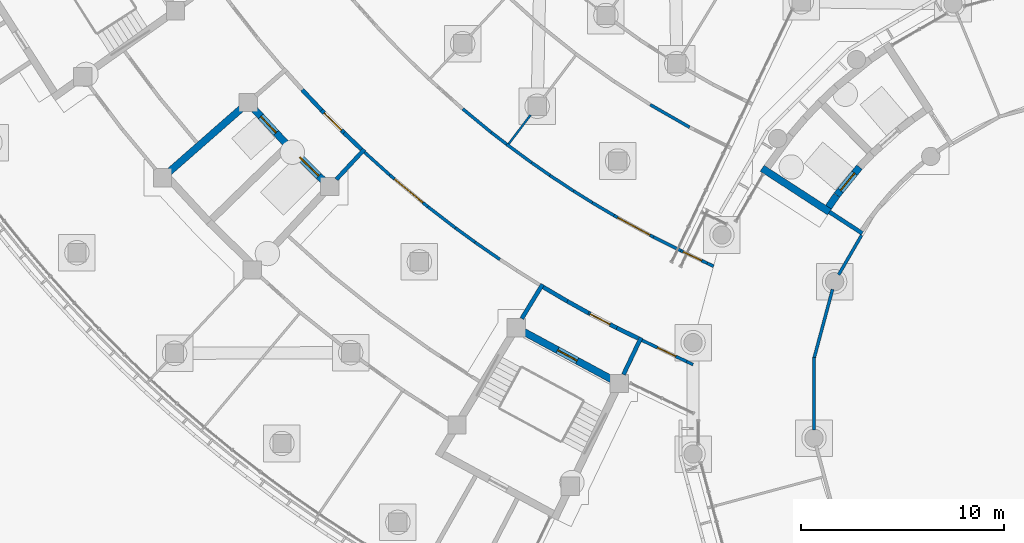
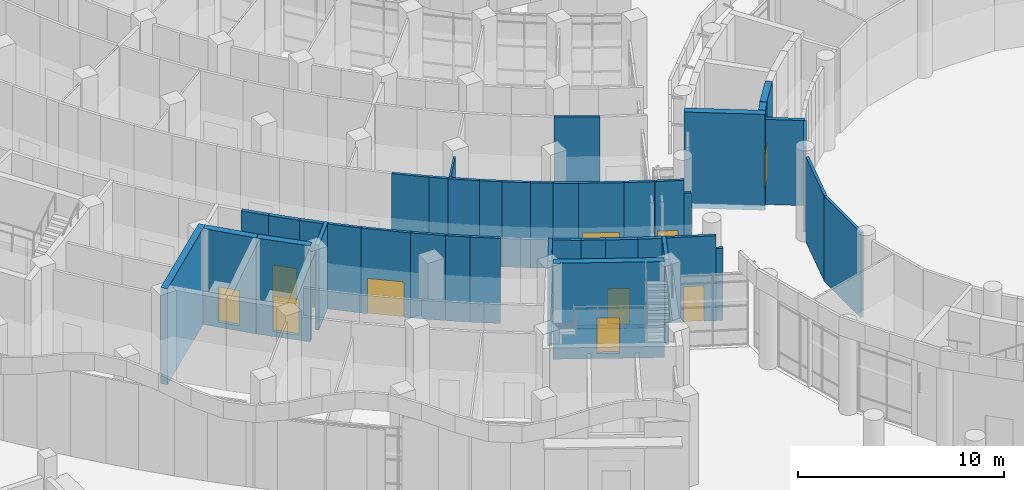
# One storey, part 61 of 146: 41 walls, 10 doors, 10 openings.
"""IFC4 building model written with IfcOpenShell, lengths in metres."""

from ifc_helpers import new_model, si_unit, direction, frame, frame_2d, origin, place, context, subcontext, project, spatial, rectangle, extrude, material, layer, layer_set, type_object, element, fill, save


model = new_model("IFC4")

# Units and contexts
model_context = context("Model", 3, precision=1e-05, world=origin(), true_north=direction((0.0, 1.0)))
body_context = subcontext(model_context, "Body", "Model", "MODEL_VIEW")
ifc_project = project(units=[si_unit("LENGTHUNIT", "METRE"), si_unit("AREAUNIT", "SQUARE_METRE"), si_unit("VOLUMEUNIT", "CUBIC_METRE"), si_unit("PLANEANGLEUNIT", "RADIAN"), si_unit("MASSUNIT", "GRAM", prefix="KILO")], contexts=[model_context])

# Site, building, storey
site_placement = place(None, origin())
site = spatial("IfcSite", under=ifc_project, at=site_placement, CompositionType="ELEMENT")
building_placement = place(site_placement, origin())
building = spatial("IfcBuilding", under=site, at=building_placement, Name="Bougainvillea Quay General Hospital", CompositionType="ELEMENT")
storey_placement = place(building_placement, origin())
storey = spatial("IfcBuildingStorey", under=building, at=storey_placement, Name="L00", CompositionType="ELEMENT", Elevation=0.0)

# Walls
ifc_material_1 = material(Name="Gypsum board partition on steel studs", Category="steel")
ifc_layer_1 = layer(ifc_material_1, 0.10009765625)
ifc_layer_set_1 = layer_set([ifc_layer_1], Name="Gypsum board partition on steel studs")
wall_type_1 = type_object("IfcWallType", Name="Partition 100 Gypsum board partition EI 30", PredefinedType="PARTITIONING", material=ifc_layer_set_1)
wall_1_placement = place(storey_placement, frame((79.311767578125, 86.515380859375, 0.0), z_axis=(0.0, 0.0, 1.0), x_axis=(0.603588624137, 0.797295912954, 0.0)))
element("IfcWall", 1, at=wall_1_placement, inside=storey, type_object=wall_type_1, Name="Partition 100 mm EI 30", PredefinedType="PARTITIONING", context=body_context, shape_type="SweptSolid", body=[
    extrude(rectangle(XDim=1.7822265625, YDim=0.10009765625, at=frame_2d((0.89111328125, 0.0))), origin(), (0.0, 0.0, 1.0), 5.050048828125),
])
ifc_material_2 = material(Name="Gypsum board partition on steel studs, insulated", Category="steel")
ifc_layer_2 = layer(ifc_material_2, 0.14990234375)
ifc_layer_set_2 = layer_set([ifc_layer_2], Name="Gypsum board partition on steel studs, insulated")
wall_type_2 = type_object("IfcWallType", Name="Partition 150 Gypsum board partition", PredefinedType="PARTITIONING", material=ifc_layer_set_2)
wall_2_placement = place(storey_placement, frame((95.539306640625, 80.07958984375, 0.0), z_axis=(0.0, 0.0, 1.0), x_axis=(0.501978236605, 0.864880251812, 0.0)))
element("IfcWall", 2, at=wall_2_placement, inside=storey, type_object=wall_type_2, Name="Partition 150 mm", PredefinedType="PARTITIONING", context=body_context, shape_type="SweptSolid", body=[
    extrude(rectangle(XDim=2.2470703125, YDim=0.14990234375, at=frame_2d((1.12353515625, 0.0))), origin(), (0.0, 0.0, 1.0), 5.050048828125),
])
wall_3_placement = place(storey_placement, frame((94.327880859375, 72.43505859375, 0.0), z_axis=(0.0, 0.0, 1.0), x_axis=(0.0, 1.0, 0.0)))
element("IfcWall", 3, at=wall_3_placement, inside=storey, type_object=wall_type_2, Name="Partition 150 mm", PredefinedType="PARTITIONING", context=body_context, shape_type="SweptSolid", body=[
    extrude(rectangle(XDim=3.597900390625, YDim=0.14990234375, at=frame_2d((1.798828125, 0.0))), origin(), (0.0, 0.0, 1.0), 5.050048828125),
])
wall_4_placement = place(storey_placement, frame((94.343017578125, 76.013916015625, 0.0), z_axis=(0.0, 0.0, 1.0), x_axis=(0.258947401773, 0.965891424082, 0.0)))
element("IfcWall", 4, at=wall_4_placement, inside=storey, type_object=wall_type_2, Name="Partition 150 mm", PredefinedType="PARTITIONING", context=body_context, shape_type="SweptSolid", body=[
    extrude(rectangle(XDim=3.46484375, YDim=0.14990234375, at=frame_2d((1.732421875, 0.0))), origin(), (0.0, 0.0, 1.0), 5.050048828125),
])

# Wall, opening, door
ifc_layer_3 = layer(ifc_material_2, 0.14990234375)
ifc_layer_set_3 = layer_set([ifc_layer_3], Name="Gypsum board partition on steel studs, insulated")
wall_type_3 = type_object("IfcWallType", Name="Partition 150 Gypsum board partition EI 30", PredefinedType="PARTITIONING", material=ifc_layer_set_3)
wall_5_placement = place(storey_placement, frame((85.87109375, 76.85546875, 0.0), z_axis=(0.0, 0.0, 1.0), x_axis=(0.902650527198, -0.43037428565, 0.0)))
wall_5 = element("IfcWall", 5, at=wall_5_placement, inside=storey, type_object=wall_type_3, Name="Partition 150 mm EI 30", PredefinedType="PARTITIONING", context=body_context, shape_type="SweptSolid", body=[
    extrude(rectangle(XDim=2.4296875, YDim=0.14990234375, at=frame_2d((1.21484375, 0.0))), origin(), (0.0, 0.0, 1.0), 5.050048828125),
])
opening_1_placement = place(wall_5_placement, frame((0.83935546875, 0.0, 0.0)))
opening_1 = element("IfcOpeningElement", 6, at=opening_1_placement, cuts=wall_5, Name="Opening L00.268", PredefinedType="OPENING", context=body_context, shape_type="SweptSolid", body=[
    extrude(rectangle(XDim=1.0, YDim=2.10009765625, at=frame_2d((0.5, 1.050048828125))), frame((0.0, 0.0849609375, 0.0), z_axis=(0.0, -1.0, 0.0), x_axis=(1.0, 0.0, 0.0)), (0.0, 0.0, 1.0), 0.169921875),
])
ifc_material_3 = material(Name="Solid-core timber door leaf in steel frame", Category="steel")
door_type_1 = type_object("IfcDoorType", Name="Single leaf door 1000x2100 FD30S", OperationType="NOTDEFINED", PredefinedType="DOOR", material=ifc_material_3)
door_1_placement = place(opening_1_placement, frame((1.0, 0.0, 0.0), z_axis=(0.0, 0.0, 1.0), x_axis=(-1.0, 0.0, 0.0)))
door_1 = element("IfcDoor", 7, at=door_1_placement, inside=storey, type_object=door_type_1, Name="DT15 L00.268", OperationType="SINGLE_SWING_LEFT", OverallHeight=2.10009765625, OverallWidth=1.0, PredefinedType="DOOR", context=body_context, shape_type="SweptSolid", body=[
    extrude(rectangle(XDim=1.0, YDim=2.10009765625, at=frame_2d((0.5, 1.050048828125))), frame((0.0, 0.02490234375, 0.0), z_axis=(0.0, -1.0, 0.0), x_axis=(1.0, 0.0, 0.0)), (0.0, 0.0, 1.0), 0.050048828125),
])
fill(opening_1, door_1)

# Wall
wall_6_placement = place(storey_placement, frame((88.064208984375, 75.809814453125, 0.0), z_axis=(0.0, 0.0, 1.0), x_axis=(0.902240472816, -0.431233265429, 0.0)))
element("IfcWall", 8, at=wall_6_placement, inside=storey, type_object=wall_type_3, Name="Partition 150 mm EI 30", PredefinedType="PARTITIONING", context=body_context, shape_type="SweptSolid", body=[
    extrude(rectangle(XDim=0.349853515625, YDim=0.14990234375, at=frame_2d((0.1748046875, 0.0))), origin(), (0.0, 0.0, 1.0), 4.280029296875),
])

# Wall, opening, door
wall_7_placement = place(storey_placement, frame((73.452392578125, 84.991943359375, 0.0), z_axis=(0.0, 0.0, 1.0), x_axis=(0.768531506517, -0.639811943849, 0.0)))
wall_7 = element("IfcWall", 9, at=wall_7_placement, inside=storey, type_object=wall_type_3, Name="Partition 150 mm EI 30", PredefinedType="PARTITIONING", context=body_context, shape_type="SweptSolid", body=[
    extrude(rectangle(XDim=2.450439453125, YDim=0.14990234375, at=frame_2d((1.22509765625, 0.0))), origin(), (0.0, 0.0, 1.0), 5.050048828125),
])
opening_2_placement = place(wall_7_placement, frame((0.3251953125, 0.0, 0.0)))
opening_2 = element("IfcOpeningElement", 10, at=opening_2_placement, cuts=wall_7, Name="Opening L00.231", PredefinedType="OPENING", context=body_context, shape_type="SweptSolid", body=[
    extrude(rectangle(XDim=1.800048828125, YDim=2.10009765625, at=frame_2d((0.89990234375, 1.050048828125))), frame((0.0, 0.0849609375, 0.0), z_axis=(0.0, -1.0, 0.0), x_axis=(1.0, 0.0, 0.0)), (0.0, 0.0, 1.0), 0.169921875),
])
ifc_material_4 = material(Name="Solid-core timber door leaves in steel frame", Category="steel")
door_type_2 = type_object("IfcDoorType", Name="Double leaf door 1800x2100", OperationType="DOUBLE_DOOR_SINGLE_SWING", PredefinedType="DOOR", material=ifc_material_4)
door_2_placement = place(opening_2_placement, origin())
door_2 = element("IfcDoor", 11, at=door_2_placement, inside=storey, type_object=door_type_2, Name="DT08 L00.231", OperationType="DOUBLE_DOOR_SINGLE_SWING", OverallHeight=2.10009765625, OverallWidth=1.800048828125, PredefinedType="DOOR", context=body_context, shape_type="SweptSolid", body=[
    extrude(rectangle(XDim=1.800048828125, YDim=2.10009765625, at=frame_2d((0.89990234375, 1.050048828125))), frame((0.0, 0.02490234375, 0.0), z_axis=(0.0, -1.0, 0.0), x_axis=(1.0, 0.0, 0.0)), (0.0, 0.0, 1.0), 0.050048828125),
])
fill(opening_2, door_2)

# Wall
wall_8_placement = place(storey_placement, frame((86.26806640625, 88.4462890625, 0.0), z_axis=(0.0, 0.0, 1.0), x_axis=(0.867212921502, -0.497937494852, 0.0)))
element("IfcWall", 12, at=wall_8_placement, inside=storey, type_object=wall_type_3, Name="Partition 150 mm EI 30", PredefinedType="PARTITIONING", context=body_context, shape_type="SweptSolid", body=[
    extrude(rectangle(XDim=2.2353515625, YDim=0.14990234375, at=frame_2d((1.11767578125, 0.0))), origin(), (0.0, 0.0, 1.0), 5.050048828125),
])

# Wall, opening, door
wall_9_placement = place(storey_placement, frame((84.489013671875, 82.992919921875, 0.0), z_axis=(0.0, 0.0, 1.0), x_axis=(0.878602388498, -0.47755402095, 0.0)))
wall_9 = element("IfcWall", 13, at=wall_9_placement, inside=storey, type_object=wall_type_3, Name="Partition 150 mm EI 30", PredefinedType="PARTITIONING", context=body_context, shape_type="SweptSolid", body=[
    extrude(rectangle(XDim=2.214599609375, YDim=0.14990234375, at=frame_2d((1.107421875, 0.0))), origin(), (0.0, 0.0, 1.0), 5.050048828125),
])
opening_3_placement = place(wall_9_placement, frame((0.207275390625, 0.0, 0.0)))
opening_3 = element("IfcOpeningElement", 14, at=opening_3_placement, cuts=wall_9, Name="Opening L00.234", PredefinedType="OPENING", context=body_context, shape_type="SweptSolid", body=[
    extrude(rectangle(XDim=1.800048828125, YDim=2.10009765625, at=frame_2d((0.89990234375, 1.050048828125))), frame((0.0, 0.0849609375, 0.0), z_axis=(0.0, -1.0, 0.0), x_axis=(1.0, 0.0, 0.0)), (0.0, 0.0, 1.0), 0.169921875),
])
door_3_placement = place(opening_3_placement, frame((1.800048828125, 0.0, 0.0), z_axis=(0.0, 0.0, 1.0), x_axis=(-1.0, 0.0, 0.0)))
door_3 = element("IfcDoor", 15, at=door_3_placement, inside=storey, type_object=door_type_2, Name="DT08 L00.234", OperationType="DOUBLE_DOOR_SINGLE_SWING", OverallHeight=2.10009765625, OverallWidth=1.800048828125, PredefinedType="DOOR", context=body_context, shape_type="SweptSolid", body=[
    extrude(rectangle(XDim=1.800048828125, YDim=2.10009765625, at=frame_2d((0.89990234375, 1.050048828125))), frame((0.0, 0.02490234375, 0.0), z_axis=(0.0, -1.0, 0.0), x_axis=(1.0, 0.0, 0.0)), (0.0, 0.0, 1.0), 0.050048828125),
])
fill(opening_3, door_3)

# Walls
wall_10_placement = place(storey_placement, frame((72.219970703125, 86.104736328125, 0.0), z_axis=(0.0, 0.0, 1.0), x_axis=(0.743337937966, -0.668916070954, 0.0)))
element("IfcWall", 16, at=wall_10_placement, inside=storey, type_object=wall_type_3, Name="Partition 150 mm EI 30", PredefinedType="PARTITIONING", context=body_context, shape_type="SweptSolid", body=[
    extrude(rectangle(XDim=1.663330078125, YDim=0.14990234375, at=frame_2d((0.83154296875, 0.0))), origin(), (0.0, 0.0, 1.0), 5.050048828125),
])
wall_11_placement = place(storey_placement, frame((77.05078125, 88.236083984375, 0.0), z_axis=(0.0, 0.0, 1.0), x_axis=(0.771517511576, -0.636208086502, 0.0)))
element("IfcWall", 17, at=wall_11_placement, inside=storey, type_object=wall_type_3, Name="Partition 150 mm EI 30", PredefinedType="PARTITIONING", context=body_context, shape_type="SweptSolid", body=[
    extrude(rectangle(XDim=1.827880859375, YDim=0.14990234375, at=frame_2d((0.9140625, 0.0))), origin(), (0.0, 0.0, 1.0), 5.050048828125),
])
wall_12_placement = place(storey_placement, frame((75.335205078125, 83.427734375, 0.0), z_axis=(0.0, 0.0, 1.0), x_axis=(0.791538398042, -0.611119435483, 0.0)))
element("IfcWall", 18, at=wall_12_placement, inside=storey, type_object=wall_type_3, Name="Partition 150 mm EI 30", PredefinedType="PARTITIONING", context=body_context, shape_type="SweptSolid", body=[
    extrude(rectangle(XDim=1.7158203125, YDim=0.14990234375, at=frame_2d((0.85791015625, 0.0))), origin(), (0.0, 0.0, 1.0), 5.050048828125),
])

# Wall, opening, door
wall_13_placement = place(storey_placement, frame((87.7783203125, 81.264404296875, 0.0), z_axis=(0.0, 0.0, 1.0), x_axis=(0.902557824877, -0.430568662066, 0.0)))
wall_13 = element("IfcWall", 19, at=wall_13_placement, inside=storey, type_object=wall_type_3, Name="Partition 150 mm EI 30", PredefinedType="PARTITIONING", context=body_context, shape_type="SweptSolid", body=[
    extrude(rectangle(XDim=1.432373046875, YDim=0.14990234375, at=frame_2d((0.71630859375, 0.0))), origin(), (0.0, 0.0, 1.0), 5.050048828125),
])
opening_4_placement = place(wall_13_placement, frame((0.128662109375, 0.0, 0.0)))
opening_4 = element("IfcOpeningElement", 20, at=opening_4_placement, cuts=wall_13, Name="Opening L00.269", PredefinedType="OPENING", context=body_context, shape_type="SweptSolid", body=[
    extrude(rectangle(XDim=1.0, YDim=2.10009765625, at=frame_2d((0.5, 1.050048828125))), frame((0.0, 0.0849609375, 0.0), z_axis=(0.0, -1.0, 0.0), x_axis=(1.0, 0.0, 0.0)), (0.0, 0.0, 1.0), 0.169921875),
])
door_4_placement = place(opening_4_placement, origin())
door_4 = element("IfcDoor", 21, at=door_4_placement, inside=storey, type_object=door_type_1, Name="DT15 L00.269", OperationType="SINGLE_SWING_LEFT", OverallHeight=2.10009765625, OverallWidth=1.0, PredefinedType="DOOR", context=body_context, shape_type="SweptSolid", body=[
    extrude(rectangle(XDim=1.0, YDim=2.10009765625, at=frame_2d((0.5, 1.050048828125))), frame((0.0, 0.02490234375, 0.0), z_axis=(0.0, -1.0, 0.0), x_axis=(1.0, 0.0, 0.0)), (0.0, 0.0, 1.0), 0.050048828125),
])
fill(opening_4, door_4)

# Walls
wall_14_placement = place(storey_placement, frame((89.071044921875, 80.647705078125, 0.0), z_axis=(0.0, 0.0, 1.0), x_axis=(0.902641205527, -0.43039383602, 0.0)))
element("IfcWall", 22, at=wall_14_placement, inside=storey, type_object=wall_type_3, Name="Partition 150 mm EI 30", PredefinedType="PARTITIONING", context=body_context, shape_type="SweptSolid", body=[
    extrude(rectangle(XDim=0.35009765625, YDim=0.14990234375, at=frame_2d((0.175048828125, 0.0))), origin(), (0.0, 0.0, 1.0), 4.280029296875),
])
wall_15_placement = place(storey_placement, frame((86.433837890625, 81.9384765625, 0.0), z_axis=(0.0, 0.0, 1.0), x_axis=(0.894297168166, -0.447473546717, 0.0)))
element("IfcWall", 23, at=wall_15_placement, inside=storey, type_object=wall_type_3, Name="Partition 150 mm EI 30", PredefinedType="PARTITIONING", context=body_context, shape_type="SweptSolid", body=[
    extrude(rectangle(XDim=1.502685546875, YDim=0.14990234375, at=frame_2d((0.75146484375, 0.0))), origin(), (0.0, 0.0, 1.0), 5.050048828125),
])
wall_16_placement = place(storey_placement, frame((79.20556640625, 86.49951171875, 0.0), z_axis=(0.0, 0.0, 1.0), x_axis=(0.804960127747, -0.593328907721, 0.0)))
element("IfcWall", 24, at=wall_16_placement, inside=storey, type_object=wall_type_3, Name="Partition 150 mm EI 30", PredefinedType="PARTITIONING", context=body_context, shape_type="SweptSolid", body=[
    extrude(rectangle(XDim=1.538818359375, YDim=0.14990234375, at=frame_2d((0.76953125, 0.0))), origin(), (0.0, 0.0, 1.0), 5.050048828125),
])
wall_17_placement = place(storey_placement, frame((77.6533203125, 81.6796875, 0.0), z_axis=(0.0, 0.0, 1.0), x_axis=(0.822646640465, -0.568552992194, 0.0)))
element("IfcWall", 25, at=wall_17_placement, inside=storey, type_object=wall_type_3, Name="Partition 150 mm EI 30", PredefinedType="PARTITIONING", context=body_context, shape_type="SweptSolid", body=[
    extrude(rectangle(XDim=1.48828125, YDim=0.14990234375, at=frame_2d((0.744140625, 0.0))), origin(), (0.0, 0.0, 1.0), 5.050048828125),
])
wall_18_placement = place(storey_placement, frame((76.693115234375, 82.382080078125, 0.0), z_axis=(0.0, 0.0, 1.0), x_axis=(0.808088805309, -0.589060678312, 0.0)))
element("IfcWall", 26, at=wall_18_placement, inside=storey, type_object=wall_type_3, Name="Partition 150 mm EI 30", PredefinedType="PARTITIONING", context=body_context, shape_type="SweptSolid", body=[
    extrude(rectangle(XDim=1.191650390625, YDim=0.14990234375, at=frame_2d((0.595703125, 0.0))), origin(), (0.0, 0.0, 1.0), 5.050048828125),
])
wall_19_placement = place(storey_placement, frame((81.33837890625, 84.96533203125, 0.0), z_axis=(0.0, 0.0, 1.0), x_axis=(0.834958204617, -0.550313362134, 0.0)))
element("IfcWall", 27, at=wall_19_placement, inside=storey, type_object=wall_type_3, Name="Partition 150 mm EI 30", PredefinedType="PARTITIONING", context=body_context, shape_type="SweptSolid", body=[
    extrude(rectangle(XDim=1.389404296875, YDim=0.14990234375, at=frame_2d((0.69482421875, 0.0))), origin(), (0.0, 0.0, 1.0), 5.050048828125),
])
wall_20_placement = place(storey_placement, frame((83.42236328125, 83.6240234375, 0.0), z_axis=(0.0, 0.0, 1.0), x_axis=(0.861696583626, -0.507423883718, 0.0)))
element("IfcWall", 28, at=wall_20_placement, inside=storey, type_object=wall_type_3, Name="Partition 150 mm EI 30", PredefinedType="PARTITIONING", context=body_context, shape_type="SweptSolid", body=[
    extrude(rectangle(XDim=1.24169921875, YDim=0.14990234375, at=frame_2d((0.620849609375, 0.0))), origin(), (0.0, 0.0, 1.0), 5.050048828125),
])
for number, where, z_axis, x_axis, name in (
    (29, (82.498046875, 84.203125, 0.0), (0.0, 0.0, 1.0), (0.848412292862, -0.529335981509, 0.0), "Partition 150 mm EI 30"),
    (30, (80.44384765625, 85.58935546875, 0.0), (0.0, 0.0, 1.0), (0.821096473197, -0.570789437274, 0.0), "Partition 150 mm EI 30"),
):
    element("IfcWall", number, at=place(storey_placement, frame(where, z_axis=z_axis, x_axis=x_axis)), inside=storey, type_object=wall_type_3, Name=name, PredefinedType="PARTITIONING", context=body_context, shape_type="SweptSolid", body=[
        extrude(rectangle(XDim=1.092529296875, YDim=0.14990234375, at=frame_2d((0.54638671875, 0.0))), origin(), (0.0, 0.0, 1.0), 5.050048828125),
    ])
wall_21_placement = place(storey_placement, frame((78.46044921875, 87.07666015625, 0.0), z_axis=(0.0, 0.0, 1.0), x_axis=(0.791671493317, -0.610947008069, 0.0)))
element("IfcWall", 31, at=wall_21_placement, inside=storey, type_object=wall_type_3, Name="Partition 150 mm EI 30", PredefinedType="PARTITIONING", context=body_context, shape_type="SweptSolid", body=[
    extrude(rectangle(XDim=0.9443359375, YDim=0.14990234375, at=frame_2d((0.47216796875, 0.0))), origin(), (0.0, 0.0, 1.0), 5.050048828125),
])
ifc_material_5 = material(Name="Fire-rated autoclaved aerated block wall, plastered")
ifc_layer_4 = layer(ifc_material_5, 0.199951171875)
ifc_layer_set_4 = layer_set([ifc_layer_4], Name="Fire-rated autoclaved aerated block wall, plastered")
wall_type_4 = type_object("IfcWallType", Name="Partition 200 Fire-rated autoclaved aerated block wall EI 120", PredefinedType="SOLIDWALL", material=ifc_layer_set_4)
wall_22_placement = place(storey_placement, frame((70.83740234375, 84.768798828125, 0.0), z_axis=(0.0, 0.0, 1.0), x_axis=(0.681244203436, 0.732056237789, 0.0)))
element("IfcWall", 32, at=wall_22_placement, inside=storey, type_object=wall_type_4, Name="Partition 200 mm EI 120", PredefinedType="SOLIDWALL", context=body_context, shape_type="SweptSolid", body=[
    extrude(rectangle(XDim=2.01806640625, YDim=0.199951171875, at=frame_2d((1.009033203125, 0.0))), origin(), (0.0, 0.0, 1.0), 5.050048828125),
])
wall_23_placement = place(storey_placement, frame((84.9580078125, 75.17529296875, 0.0), z_axis=(0.0, 0.0, 1.0), x_axis=(0.430419231225, 0.902629096247, 0.0)))
element("IfcWall", 33, at=wall_23_placement, inside=storey, type_object=wall_type_4, Name="Partition 200 mm EI 120", PredefinedType="SOLIDWALL", context=body_context, shape_type="SweptSolid", body=[
    extrude(rectangle(XDim=2.009765625, YDim=0.199951171875, at=frame_2d((1.0048828125, 0.0))), origin(), (0.0, 0.0, 1.0), 5.050048828125),
])
wall_24_placement = place(storey_placement, frame((79.955322265625, 77.923828125, 0.0), z_axis=(0.0, 0.0, 1.0), x_axis=(0.519675881268, 0.85436349315, 0.0)))
element("IfcWall", 34, at=wall_24_placement, inside=storey, type_object=wall_type_4, Name="Partition 200 mm EI 120", PredefinedType="SOLIDWALL", context=body_context, shape_type="SweptSolid", body=[
    extrude(rectangle(XDim=1.9716796875, YDim=0.199951171875, at=frame_2d((0.98583984375, 0.0))), origin(), (0.0, 0.0, 1.0), 5.050048828125),
])
wall_25_placement = place(storey_placement, frame((95.08984375, 83.163818359375, 0.0), z_axis=(0.0, 0.0, 1.0), x_axis=(0.838626157518, -0.544707414973, 0.0)))
element("IfcWall", 35, at=wall_25_placement, inside=storey, type_object=wall_type_4, Name="Partition 200 mm EI 120", PredefinedType="SOLIDWALL", context=body_context, shape_type="SweptSolid", body=[
    extrude(rectangle(XDim=1.924560546875, YDim=0.199951171875, at=frame_2d((0.96240234375, 0.0))), origin(), (0.0, 0.0, 1.0), 5.050048828125),
])

# Wall, opening, door
wall_26_placement = place(storey_placement, frame((70.101318359375, 88.173828125, 0.0), z_axis=(0.0, 0.0, 1.0), x_axis=(0.705714994949, -0.708495833371, 0.0)))
wall_26 = element("IfcWall", 36, at=wall_26_placement, inside=storey, type_object=wall_type_4, Name="Partition 200 mm EI 120", PredefinedType="SOLIDWALL", context=body_context, shape_type="SweptSolid", body=[
    extrude(rectangle(XDim=1.580322265625, YDim=0.199951171875, at=frame_2d((0.7900390625, 0.0))), origin(), (0.0, 0.0, 1.0), 5.050048828125),
])
opening_5_placement = place(wall_26_placement, frame((0.190185546875, 0.0, 0.0)))
opening_5 = element("IfcOpeningElement", 37, at=opening_5_placement, cuts=wall_26, Name="Opening L00.229", PredefinedType="OPENING", context=body_context, shape_type="SweptSolid", body=[
    extrude(rectangle(XDim=1.199951171875, YDim=2.10009765625, at=frame_2d((0.60009765625, 1.050048828125))), frame((0.0, 0.10986328125, 0.0), z_axis=(0.0, -1.0, 0.0), x_axis=(1.0, 0.0, 0.0)), (0.0, 0.0, 1.0), 0.219970703125),
])
door_type_3 = type_object("IfcDoorType", Name="Single leaf door 1200x2100 FD60", OperationType="NOTDEFINED", PredefinedType="DOOR", material=ifc_material_3)
door_5_placement = place(opening_5_placement, frame((1.199951171875, 0.0, 0.0), z_axis=(0.0, 0.0, 1.0), x_axis=(-1.0, 0.0, 0.0)))
door_5 = element("IfcDoor", 38, at=door_5_placement, inside=storey, type_object=door_type_3, Name="DT12 L00.229", OperationType="SINGLE_SWING_LEFT", OverallHeight=2.10009765625, OverallWidth=1.199951171875, PredefinedType="DOOR", context=body_context, shape_type="SweptSolid", body=[
    extrude(rectangle(XDim=1.199951171875, YDim=2.10009765625, at=frame_2d((0.60009765625, 1.050048828125))), frame((0.0, 0.02490234375, 0.0), z_axis=(0.0, -1.0, 0.0), x_axis=(1.0, 0.0, 0.0)), (0.0, 0.0, 1.0), 0.050048828125),
])
fill(opening_5, door_5)

wall_27_placement = place(storey_placement, frame((83.232421875, 78.196533203125, 0.0), z_axis=(0.0, 0.0, 1.0), x_axis=(0.885510751813, -0.464618885134, 0.0)))
wall_27 = element("IfcWall", 39, at=wall_27_placement, inside=storey, type_object=wall_type_4, Name="Partition 200 mm EI 120", PredefinedType="SOLIDWALL", context=body_context, shape_type="SweptSolid", body=[
    extrude(rectangle(XDim=1.580078125, YDim=0.199951171875, at=frame_2d((0.7900390625, 0.0))), origin(), (0.0, 0.0, 1.0), 5.050048828125),
])
opening_6_placement = place(wall_27_placement, frame((0.10009765625, 0.0, 0.0)))
opening_6 = element("IfcOpeningElement", 40, at=opening_6_placement, cuts=wall_27, Name="Opening L00.301", PredefinedType="OPENING", context=body_context, shape_type="SweptSolid", body=[
    extrude(rectangle(XDim=1.10009765625, YDim=2.10009765625, at=frame_2d((0.550048828125, 1.050048828125))), frame((0.0, 0.10986328125, 0.0), z_axis=(0.0, -1.0, 0.0), x_axis=(1.0, 0.0, 0.0)), (0.0, 0.0, 1.0), 0.219970703125),
])
ifc_material_6 = material(Name="Steel fire door leaf in steel frame", Category="steel")
door_type_4 = type_object("IfcDoorType", Name="Steel single leaf door 1100x2100 FD60", OperationType="NOTDEFINED", PredefinedType="DOOR", material=ifc_material_6)
door_6_placement = place(opening_6_placement, frame((1.10009765625, 0.0, 0.0), z_axis=(0.0, 0.0, 1.0), x_axis=(-1.0, 0.0, 0.0)))
door_6 = element("IfcDoor", 41, at=door_6_placement, inside=storey, type_object=door_type_4, Name="DT04 L00.301", OperationType="SINGLE_SWING_RIGHT", OverallHeight=2.10009765625, OverallWidth=1.10009765625, PredefinedType="DOOR", context=body_context, shape_type="SweptSolid", body=[
    extrude(rectangle(XDim=1.10009765625, YDim=2.10009765625, at=frame_2d((0.550048828125, 1.050048828125))), frame((0.0, 0.02490234375, 0.0), z_axis=(0.0, -1.0, 0.0), x_axis=(1.0, 0.0, 0.0)), (0.0, 0.0, 1.0), 0.050048828125),
])
fill(opening_6, door_6)

# Walls
wall_28_placement = place(storey_placement, frame((81.01513671875, 79.471435546875, 0.0), z_axis=(0.0, 0.0, 1.0), x_axis=(0.860926528214, -0.508729312127, 0.0)))
element("IfcWall", 42, at=wall_28_placement, inside=storey, type_object=wall_type_4, Name="Partition 200 mm EI 120", PredefinedType="SOLIDWALL", context=body_context, shape_type="SweptSolid", body=[
    extrude(rectangle(XDim=1.378662109375, YDim=0.199951171875, at=frame_2d((0.689453125, 0.0))), origin(), (0.0, 0.0, 1.0), 5.050048828125),
])
wall_29_placement = place(storey_placement, frame((69.1552734375, 89.177490234375, 0.0), z_axis=(0.0, 0.0, 1.0), x_axis=(0.687313254989, -0.726361128858, 0.0)))
element("IfcWall", 43, at=wall_29_placement, inside=storey, type_object=wall_type_4, Name="Partition 200 mm EI 120", PredefinedType="SOLIDWALL", context=body_context, shape_type="SweptSolid", body=[
    extrude(rectangle(XDim=1.3818359375, YDim=0.199951171875, at=frame_2d((0.69091796875, 0.0))), origin(), (0.0, 0.0, 1.0), 5.050048828125),
])
wall_30_placement = place(storey_placement, frame((71.216552734375, 87.0576171875, 0.0), z_axis=(0.0, 0.0, 1.0), x_axis=(0.723660671666, -0.6901559478, 0.0)))
element("IfcWall", 44, at=wall_30_placement, inside=storey, type_object=wall_type_4, Name="Partition 200 mm EI 120", PredefinedType="SOLIDWALL", context=body_context, shape_type="SweptSolid", body=[
    extrude(rectangle(XDim=1.180419921875, YDim=0.199951171875, at=frame_2d((0.59033203125, 0.0))), origin(), (0.0, 0.0, 1.0), 5.050048828125),
])
wall_31_placement = place(storey_placement, frame((84.630615234375, 77.4658203125, 0.0), z_axis=(0.0, 0.0, 1.0), x_axis=(0.896895597342, -0.442242340203, 0.0)))
element("IfcWall", 45, at=wall_31_placement, inside=storey, type_object=wall_type_4, Name="Partition 200 mm EI 120", PredefinedType="SOLIDWALL", context=body_context, shape_type="SweptSolid", body=[
    extrude(rectangle(XDim=1.18017578125, YDim=0.199951171875, at=frame_2d((0.590087890625, 0.0))), origin(), (0.0, 0.0, 1.0), 5.050048828125),
])
wall_32_placement = place(storey_placement, frame((82.201171875, 78.773681640625, 0.0), z_axis=(0.0, 0.0, 1.0), x_axis=(0.873621822139, -0.486605499232, 0.0)))
element("IfcWall", 46, at=wall_32_placement, inside=storey, type_object=wall_type_4, Name="Partition 200 mm EI 120", PredefinedType="SOLIDWALL", context=body_context, shape_type="SweptSolid", body=[
    extrude(rectangle(XDim=1.18408203125, YDim=0.199951171875, at=frame_2d((0.592041015625, 0.0))), origin(), (0.0, 0.0, 1.0), 5.050048828125),
])
ifc_material_7 = material(Name="Concrete C40", Category="concrete")
ifc_layer_5 = layer(ifc_material_7, 0.35009765625)
ifc_layer_set_5 = layer_set([ifc_layer_5], Name="Concrete C40")
wall_type_5 = type_object("IfcWallType", Name="RC SHEAR WALL 350 C40", PredefinedType="SHEAR", material=ifc_layer_set_5)
wall_33_placement = place(storey_placement, frame((62.305419921875, 84.87158203125, -0.300048828125), z_axis=(0.0, 0.0, 1.0), x_axis=(0.751808220443, 0.659381831471, 0.0)))
element("IfcWall", 47, at=wall_33_placement, inside=storey, type_object=wall_type_5, Name="Shear wall L00", PredefinedType="SHEAR", context=body_context, shape_type="SweptSolid", body=[
    extrude(rectangle(XDim=5.75048828125, YDim=0.35009765625, at=frame_2d((2.875244140625, 0.0))), origin(), (0.0, 0.0, 1.0), 5.699951171875),
])

# Wall, opening, door
wall_34_placement = place(storey_placement, frame((68.447021484375, 86.434326171875, -0.300048828125), z_axis=(0.0, 0.0, 1.0), x_axis=(-0.678058558992, 0.735007884704, 0.0)))
wall_34 = element("IfcWall", 48, at=wall_34_placement, inside=storey, type_object=wall_type_5, Name="Shear wall L00", PredefinedType="SHEAR", context=body_context, shape_type="SweptSolid", body=[
    extrude(rectangle(XDim=2.70068359375, YDim=0.35009765625, at=frame_2d((1.350341796875, 0.0))), origin(), (0.0, 0.0, 1.0), 5.699951171875),
])
opening_7_placement = place(wall_34_placement, frame((0.85009765625, 0.0, 0.300048828125)))
opening_7 = element("IfcOpeningElement", 49, at=opening_7_placement, cuts=wall_34, Name="Opening LD-W1.2-L00", PredefinedType="OPENING", context=body_context, shape_type="SweptSolid", body=[
    extrude(rectangle(XDim=1.10009765625, YDim=2.10009765625, at=frame_2d((0.550048828125, 1.050048828125))), frame((0.0, 0.18505859375, 0.0), z_axis=(0.0, -1.0, 0.0), x_axis=(1.0, 0.0, 0.0)), (0.0, 0.0, 1.0), 0.3701171875),
])
ifc_material_8 = material(Name="Stainless steel centre-opening landing door", Category="steel")
door_type_5 = type_object("IfcDoorType", Name="Lift landing door 1100x2100 E 120", OperationType="DOUBLE_DOOR_SLIDING", PredefinedType="DOOR", material=ifc_material_8)
door_7_placement = place(opening_7_placement, origin())
door_7 = element("IfcDoor", 50, at=door_7_placement, inside=storey, type_object=door_type_5, Name="Lift landing door LB-W1-2 L00", OperationType="DOUBLE_DOOR_SLIDING", OverallHeight=2.10009765625, OverallWidth=1.10009765625, PredefinedType="DOOR", context=body_context, shape_type="SweptSolid", body=[
    extrude(rectangle(XDim=1.10009765625, YDim=2.10009765625, at=frame_2d((0.550048828125, 1.050048828125))), frame((0.0, 0.02490234375, 0.0), z_axis=(0.0, -1.0, 0.0), x_axis=(1.0, 0.0, 0.0)), (0.0, 0.0, 1.0), 0.050048828125),
])
fill(opening_7, door_7)

wall_35_placement = place(storey_placement, frame((70.384033203125, 84.538330078125, -0.300048828125), z_axis=(0.0, 0.0, 1.0), x_axis=(-0.714701443082, 0.699429658548, 0.0)))
wall_35 = element("IfcWall", 51, at=wall_35_placement, inside=storey, type_object=wall_type_5, Name="Shear wall L00", PredefinedType="SHEAR", context=body_context, shape_type="SweptSolid", body=[
    extrude(rectangle(XDim=2.70166015625, YDim=0.35009765625, at=frame_2d((1.350830078125, 0.0))), origin(), (0.0, 0.0, 1.0), 5.699951171875),
])
opening_8_placement = place(wall_35_placement, frame((0.580810546875, 0.0, 0.300048828125)))
opening_8 = element("IfcOpeningElement", 52, at=opening_8_placement, cuts=wall_35, Name="Opening LD-W1.1-L00", PredefinedType="OPENING", context=body_context, shape_type="SweptSolid", body=[
    extrude(rectangle(XDim=1.300048828125, YDim=2.10009765625, at=frame_2d((0.64990234375, 1.050048828125))), frame((0.0, 0.18505859375, 0.0), z_axis=(0.0, -1.0, 0.0), x_axis=(1.0, 0.0, 0.0)), (0.0, 0.0, 1.0), 0.3701171875),
])
door_type_6 = type_object("IfcDoorType", Name="Lift landing door 1300x2100 E 120", OperationType="DOUBLE_DOOR_SLIDING", PredefinedType="DOOR", material=ifc_material_8)
door_8_placement = place(opening_8_placement, origin())
door_8 = element("IfcDoor", 53, at=door_8_placement, inside=storey, type_object=door_type_6, Name="Lift landing door LB-W1-1 L00", OperationType="DOUBLE_DOOR_SLIDING", OverallHeight=2.10009765625, OverallWidth=1.300048828125, PredefinedType="DOOR", context=body_context, shape_type="SweptSolid", body=[
    extrude(rectangle(XDim=1.300048828125, YDim=2.10009765625, at=frame_2d((0.64990234375, 1.050048828125))), frame((0.0, 0.02490234375, 0.0), z_axis=(0.0, -1.0, 0.0), x_axis=(1.0, 0.0, 0.0)), (0.0, 0.0, 1.0), 0.050048828125),
])
fill(opening_8, door_8)

wall_36_placement = place(storey_placement, frame((84.593017578125, 74.816162109375, -0.300048828125), z_axis=(0.0, 0.0, 1.0), x_axis=(-0.879585553739, 0.475740742058, 0.0)))
wall_36 = element("IfcWall", 54, at=wall_36_placement, inside=storey, type_object=wall_type_5, Name="Shear wall L00", PredefinedType="SHEAR", context=body_context, shape_type="SweptSolid", body=[
    extrude(rectangle(XDim=5.409423828125, YDim=0.35009765625, at=frame_2d((2.70458984375, 0.0))), origin(), (0.0, 0.0, 1.0), 5.699951171875),
])
opening_9_placement = place(wall_36_placement, frame((2.173828125, 0.0, 0.300048828125)))
opening_9 = element("IfcOpeningElement", 55, at=opening_9_placement, cuts=wall_36, Name="Opening L00.300", PredefinedType="OPENING", context=body_context, shape_type="SweptSolid", body=[
    extrude(rectangle(XDim=1.10009765625, YDim=2.10009765625, at=frame_2d((0.550048828125, 1.050048828125))), frame((0.0, 0.18505859375, 0.0), z_axis=(0.0, -1.0, 0.0), x_axis=(1.0, 0.0, 0.0)), (0.0, 0.0, 1.0), 0.3701171875),
])
door_9_placement = place(opening_9_placement, origin())
door_9 = element("IfcDoor", 56, at=door_9_placement, inside=storey, type_object=door_type_4, Name="DT04 L00.300", OperationType="SINGLE_SWING_RIGHT", OverallHeight=2.10009765625, OverallWidth=1.10009765625, PredefinedType="DOOR", context=body_context, shape_type="SweptSolid", body=[
    extrude(rectangle(XDim=1.10009765625, YDim=2.10009765625, at=frame_2d((0.550048828125, 1.050048828125))), frame((0.0, 0.02490234375, 0.0), z_axis=(0.0, -1.0, 0.0), x_axis=(1.0, 0.0, 0.0)), (0.0, 0.0, 1.0), 0.050048828125),
])
fill(opening_9, door_9)

# Walls
wall_37_placement = place(storey_placement, frame((91.776123046875, 85.315185546875, -0.300048828125), z_axis=(0.0, 0.0, 1.0), x_axis=(0.838710342359, -0.544577782893, 0.0)))
element("IfcWall", 57, at=wall_37_placement, inside=storey, type_object=wall_type_5, Name="Shear wall L00", PredefinedType="SHEAR", context=body_context, shape_type="SweptSolid", body=[
    extrude(rectangle(XDim=3.950927734375, YDim=0.35009765625, at=frame_2d((1.9755859375, 0.0))), origin(), (0.0, 0.0, 1.0), 5.699951171875),
])
wall_38_placement = place(storey_placement, frame((95.042236328125, 83.4033203125, -0.300048828125), z_axis=(0.0, 0.0, 1.0), x_axis=(0.566587399165, 0.824001649942, 0.0)))
element("IfcWall", 58, at=wall_38_placement, inside=storey, type_object=wall_type_5, Name="Shear wall L00", PredefinedType="SHEAR", context=body_context, shape_type="SweptSolid", body=[
    extrude(rectangle(XDim=0.70751953125, YDim=0.35009765625, at=frame_2d((0.353759765625, 0.0))), origin(), (0.0, 0.0, 1.0), 5.699951171875),
])

# Wall, opening, door
wall_39_placement = place(storey_placement, frame((95.451416015625, 83.997314453125, -0.300048828125), z_axis=(0.0, 0.0, 1.0), x_axis=(0.629337420675, 0.777132170829, 0.0)))
wall_39 = element("IfcWall", 59, at=wall_39_placement, inside=storey, type_object=wall_type_5, Name="Shear wall L00", PredefinedType="SHEAR", context=body_context, shape_type="SweptSolid", body=[
    extrude(rectangle(XDim=1.765869140625, YDim=0.35009765625, at=frame_2d((0.8828125, 0.0))), origin(), (0.0, 0.0, 1.0), 5.699951171875),
])
opening_10_placement = place(wall_39_placement, frame((0.28564453125, 0.0, 0.300048828125)))
opening_10 = element("IfcOpeningElement", 60, at=opening_10_placement, cuts=wall_39, Name="Opening LD-H1.2-L00", PredefinedType="OPENING", context=body_context, shape_type="SweptSolid", body=[
    extrude(rectangle(XDim=1.10009765625, YDim=2.10009765625, at=frame_2d((0.550048828125, 1.050048828125))), frame((0.0, 0.18505859375, 0.0), z_axis=(0.0, -1.0, 0.0), x_axis=(1.0, 0.0, 0.0)), (0.0, 0.0, 1.0), 0.3701171875),
])
door_10_placement = place(opening_10_placement, origin())
door_10 = element("IfcDoor", 61, at=door_10_placement, inside=storey, type_object=door_type_5, Name="Lift landing door LB-H1-2 L00", OperationType="DOUBLE_DOOR_SLIDING", OverallHeight=2.10009765625, OverallWidth=1.10009765625, PredefinedType="DOOR", context=body_context, shape_type="SweptSolid", body=[
    extrude(rectangle(XDim=1.10009765625, YDim=2.10009765625, at=frame_2d((0.550048828125, 1.050048828125))), frame((0.0, 0.02490234375, 0.0), z_axis=(0.0, -1.0, 0.0), x_axis=(1.0, 0.0, 0.0)), (0.0, 0.0, 1.0), 0.050048828125),
])
fill(opening_10, door_10)

save(model, "model.ifc")
